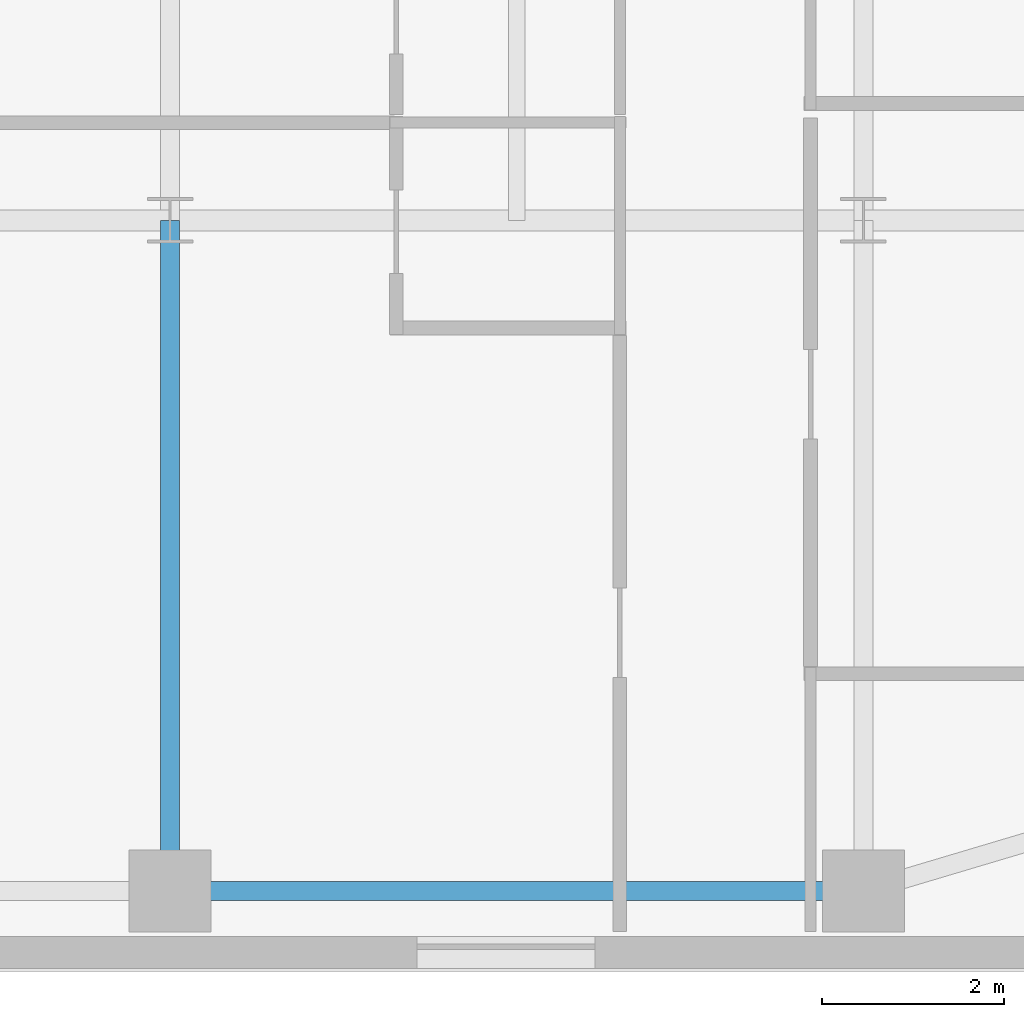
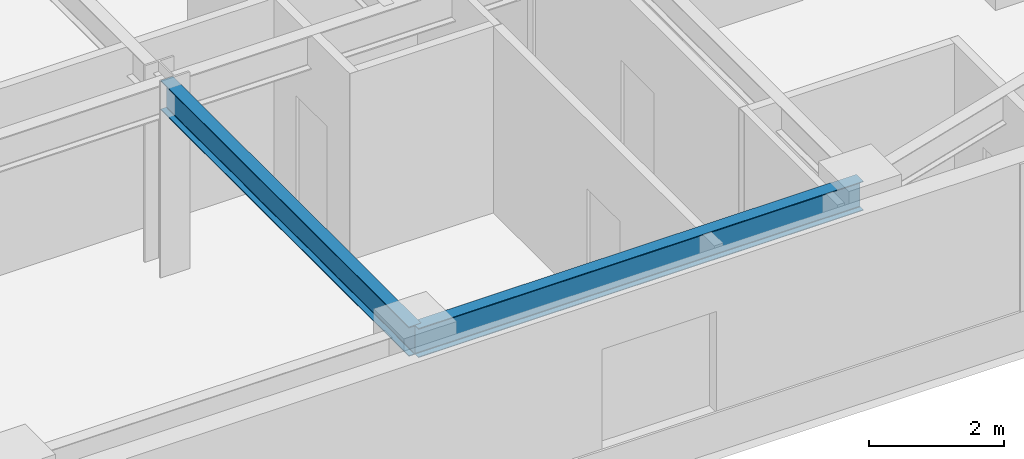
# One storey, part 8 of 24: 2 beams.
"""IFC4 building model written with IfcOpenShell, lengths in metres."""

from ifc_helpers import new_model, si_unit, direction, frame, origin, origin_2d, place, context, subcontext, project, spatial, i_section, extrude, source, transform, mapped, material, material_profile, profile_set, type_object, type_shapes, element, save


model = new_model("IFC4")

# Units and contexts
model_context = context("Model", 3, precision=1e-05, world=origin(), true_north=direction((0.0, 1.0)))
body_context = subcontext(model_context, "Body", "Model", "MODEL_VIEW")
ifc_project = project(units=[si_unit("LENGTHUNIT", "METRE"), si_unit("AREAUNIT", "SQUARE_METRE"), si_unit("VOLUMEUNIT", "CUBIC_METRE"), si_unit("PLANEANGLEUNIT", "RADIAN"), si_unit("MASSUNIT", "GRAM", prefix="KILO")], contexts=[model_context])

# Site, building, storey
site_placement = place(None, origin())
site = spatial("IfcSite", under=ifc_project, at=site_placement, CompositionType="ELEMENT")
building_placement = place(site_placement, origin())
building = spatial("IfcBuilding", under=site, at=building_placement, Name="Tolvann Quenvar Hotel", CompositionType="ELEMENT")
storey_placement = place(building_placement, frame((0.0, 0.0, 88.800048828125)))
storey = spatial("IfcBuildingStorey", under=building, at=storey_placement, Name="L22", CompositionType="ELEMENT", Elevation=88.800048828125)

# Beams
ifc_material = material(Name="Steel Grade 350", Category="steel")
ifc_material_profile_1 = material_profile(ifc_material, i_section(OverallWidth=0.208984375, OverallDepth=0.528076171875, WebThickness=0.009521484375, FlangeThickness=0.01318359375, FilletRadius=0.013916015625, at=origin_2d()), Name="530UB82")
ifc_profile_set_1 = profile_set([ifc_material_profile_1], Name="Steel Grade 350")
beam_type_1 = type_object("IfcBeamType", Name="BM_SPAND_530UB82", PredefinedType="SPANDREL", material=ifc_profile_set_1)
shared_shape_1 = source(origin(), body_context, "Body", "SweptSolid", [
    extrude(i_section(OverallWidth=0.208984375, OverallDepth=0.528076171875, WebThickness=0.009521484375, FlangeThickness=0.01318359375, FilletRadius=0.013916015625, at=origin_2d()), origin(), (0.0, 0.0, 1.0), 7.599853515625),
])
type_shapes(beam_type_1, [shared_shape_1])
beam_1_placement = place(storey_placement, frame((41.800048828125, 0.85009765625, 3.10595703125), z_axis=(1.0, 0.0, 0.0), x_axis=(0.0, 1.0, 0.0)))
element("IfcBeam", 1, at=beam_1_placement, inside=storey, type_object=beam_type_1, Name="BM-L22-EW-2-H2-I2", PredefinedType="SPANDREL", context=body_context, shape_type="MappedRepresentation", body=[
    mapped(shared_shape_1, transform((0.0, 0.0, 0.0), x_axis=(1.0, 0.0, 0.0), y_axis=(0.0, 1.0, 0.0), z_axis=(0.0, 0.0, 1.0), scale=1.0)),
])
ifc_material_profile_2 = material_profile(ifc_material, i_section(OverallWidth=0.208984375, OverallDepth=0.532958984375, WebThickness=0.01025390625, FlangeThickness=0.015625, FilletRadius=0.013916015625, at=origin_2d()), Name="530UB92")
ifc_profile_set_2 = profile_set([ifc_material_profile_2], Name="Steel Grade 350")
beam_type_2 = type_object("IfcBeamType", Name="BM_GIRD_530UB92", PredefinedType="BEAM", material=ifc_profile_set_2)
shared_shape_2 = source(origin(), body_context, "Body", "SweptSolid", [
    extrude(i_section(OverallWidth=0.208984375, OverallDepth=0.532958984375, WebThickness=0.01025390625, FlangeThickness=0.015625, FilletRadius=0.013916015625, at=origin_2d()), origin(), (0.0, 0.0, 1.0), 7.349853515625),
])
type_shapes(beam_type_2, [shared_shape_2])
beam_2_placement = place(storey_placement, frame((41.800048828125, 0.85009765625, 3.103515625), z_axis=(0.0, 1.0, 0.0), x_axis=(-1.0, 0.0, 0.0)))
element("IfcBeam", 2, at=beam_2_placement, inside=storey, type_object=beam_type_2, Name="BM-L22-NS-H2-H3", PredefinedType="BEAM", context=body_context, shape_type="MappedRepresentation", body=[
    mapped(shared_shape_2, transform((0.0, 0.0, 0.0), x_axis=(1.0, 0.0, 0.0), y_axis=(0.0, 1.0, 0.0), z_axis=(0.0, 0.0, 1.0), scale=1.0)),
])

save(model, "model.ifc")
